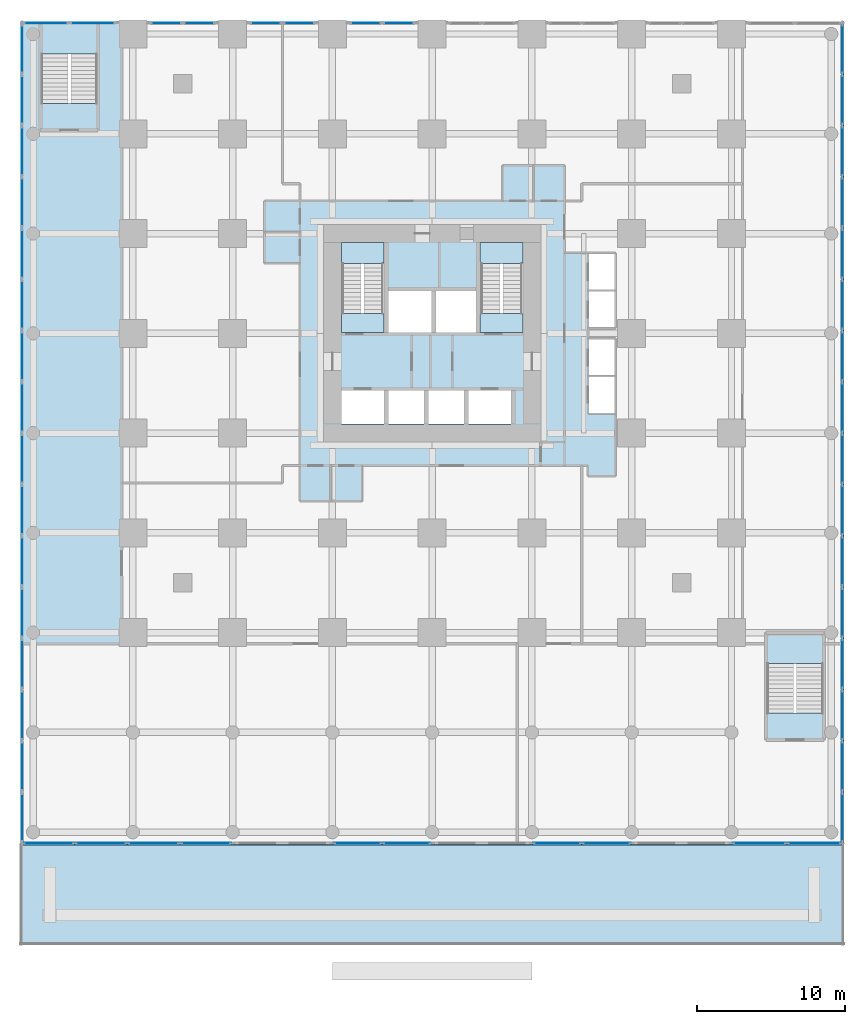
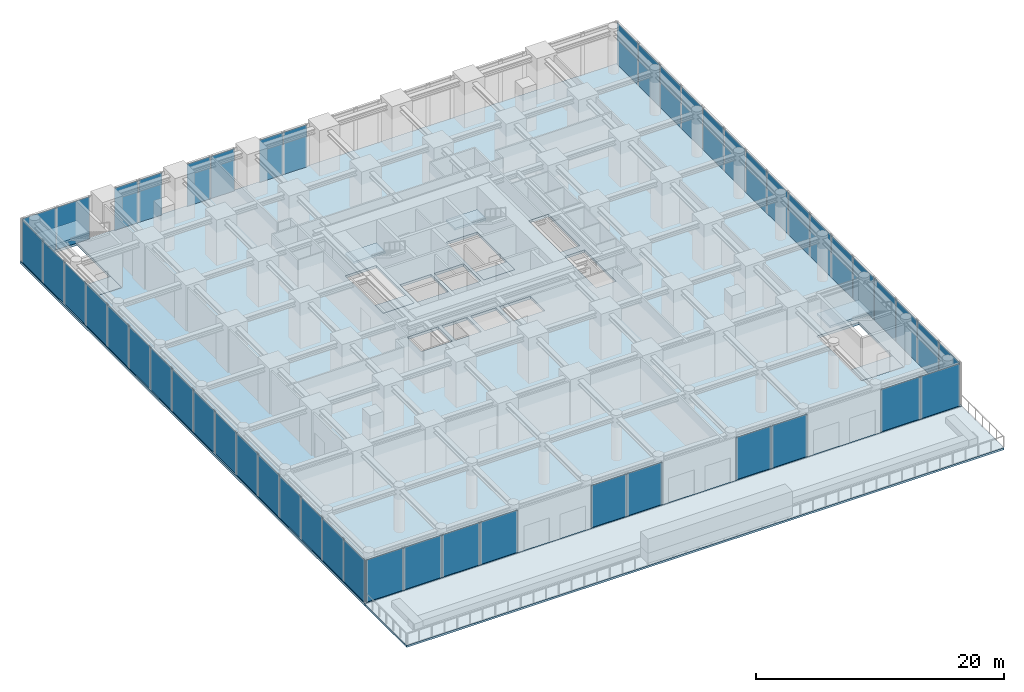
# One storey, part 7 of 11: 50 plates, 10 slabs, 14 elements without a shape of their own.
"""IFC4 building model written with IfcOpenShell, lengths in metres."""

from ifc_helpers import new_model, si_unit, direction, frame, origin, origin_2d, place, context, subcontext, project, spatial, polyline, rectangle, outline, extrude, material, layer, layer_set, type_object, element, aggregate, save


model = new_model("IFC4")

# Units and contexts
model_context = context("Model", 3, precision=1e-05, world=origin(), true_north=direction((0.0, 1.0)))
body_context = subcontext(model_context, "Body", "Model", "MODEL_VIEW")
ifc_project = project(units=[si_unit("LENGTHUNIT", "METRE"), si_unit("AREAUNIT", "SQUARE_METRE"), si_unit("VOLUMEUNIT", "CUBIC_METRE"), si_unit("PLANEANGLEUNIT", "RADIAN"), si_unit("MASSUNIT", "GRAM", prefix="KILO")], contexts=[model_context])

# Site, building, storey
site_placement = place(None, origin())
site = spatial("IfcSite", under=ifc_project, at=site_placement, CompositionType="ELEMENT")
building_placement = place(site_placement, origin())
building = spatial("IfcBuilding", under=site, at=building_placement, Name="Nyansa Garden Tower", CompositionType="ELEMENT")
storey_placement = place(building_placement, frame((0.0, 0.0, 4.5)))
storey = spatial("IfcBuildingStorey", under=building, at=storey_placement, Name="L01", CompositionType="ELEMENT", Elevation=4.5)

# Slab
ifc_material_1 = material(Name="Concrete C40/50", Category="concrete")
ifc_layer_1 = layer(ifc_material_1, 0.25)
ifc_layer_set_1 = layer_set([ifc_layer_1], Name="Floor slab FS250")
slab_type_1 = type_object("IfcSlabType", Name="Floor slab FS250", PredefinedType="FLOOR", material=ifc_layer_set_1)
slab_1_placement = place(storey_placement, frame((0.0, 0.0, -0.25)))
element("IfcSlab", 1, at=slab_1_placement, inside=storey, type_object=slab_type_1, Name="Floor slab L01", PredefinedType="FLOOR", context=body_context, shape_type="SweptSolid", body=[
    extrude(outline(polyline([(48.10009765625, -14.35009765625), (-7.60009765625, -14.35009765625), (-7.60009765625, 41.35009765625), (48.10009765625, 41.35009765625), (48.10009765625, -14.35009765625)]), holes=[polyline([(14.10009765625, 14.10009765625), (17.0, 14.10009765625), (17.0, 16.39990234375), (14.10009765625, 16.39990234375), (14.10009765625, 14.10009765625)]), polyline([(17.300048828125, 14.10009765625), (19.699951171875, 14.10009765625), (19.699951171875, 16.39990234375), (17.300048828125, 16.39990234375), (17.300048828125, 14.10009765625)]), polyline([(20.0, 14.10009765625), (22.39990234375, 14.10009765625), (22.39990234375, 16.39990234375), (20.0, 16.39990234375), (20.0, 14.10009765625)]), polyline([(22.699951171875, 14.10009765625), (25.60009765625, 14.10009765625), (25.60009765625, 16.39990234375), (22.699951171875, 16.39990234375), (22.699951171875, 14.10009765625)]), polyline([(17.300048828125, 20.300048828125), (20.199951171875, 20.300048828125), (20.199951171875, 23.10009765625), (17.300048828125, 23.10009765625), (17.300048828125, 20.300048828125)]), polyline([(20.5, 20.300048828125), (23.199951171875, 20.300048828125), (23.199951171875, 23.10009765625), (20.5, 23.10009765625), (20.5, 20.300048828125)]), polyline([(30.800048828125, 14.800048828125), (32.64990234375, 14.800048828125), (32.64990234375, 19.89990234375), (30.800048828125, 19.89990234375), (30.800048828125, 14.800048828125)]), polyline([(30.800048828125, 20.60009765625), (32.64990234375, 20.60009765625), (32.64990234375, 25.699951171875), (30.800048828125, 25.699951171875), (30.800048828125, 20.60009765625)]), polyline([(14.10009765625, 20.300048828125), (17.0, 20.300048828125), (17.0, 26.39990234375), (14.10009765625, 26.39990234375), (14.10009765625, 20.300048828125)]), polyline([(23.5, 20.300048828125), (26.39990234375, 20.300048828125), (26.39990234375, 26.39990234375), (23.5, 26.39990234375), (23.5, 20.300048828125)]), polyline([(-6.25, 34.0), (-2.35009765625, 34.0), (-2.35009765625, 41.25), (-6.25, 41.25), (-6.25, 34.0)]), polyline([(42.85009765625, -7.25), (46.75, -7.25), (46.75, 0.0), (42.85009765625, 0.0), (42.85009765625, -7.25)])]), origin(), (0.0, 0.0, 1.0), 0.25),
])

# Curtain wall, plates
ifc_material_2 = material(Name="Black anodised aluminium, clear double glazing", Category="aluminium")
curtain_wall_type = type_object("IfcCurtainWallType", Name="Podium curtain wall PCW", PredefinedType="USERDEFINED", material=ifc_material_2)
curtain_wall_1_placement = place(storey_placement, origin())
curtain_wall_1 = element("IfcCurtainWall", 2, at=curtain_wall_1_placement, inside=storey, type_object=curtain_wall_type, Name="Podium curtain wall L01 E", ObjectType="STICK CURTAIN WALL", PredefinedType="USERDEFINED")
ifc_material_3 = material(Name="Clear laminated double glazing", Category="glass")
ifc_layer_2 = layer(ifc_material_3, 0.0380859375)
ifc_layer_set_2 = layer_set([ifc_layer_2], Name="Podium vision panel VP-P")
plate_type = type_object("IfcPlateType", Name="Podium vision panel VP-P", PredefinedType="CURTAIN_PANEL", material=ifc_layer_set_2)
plate_1_placement = place(storey_placement, frame((48.0, -12.49560546875, 0.0), z_axis=(0.0, 0.0, 1.0), x_axis=(0.0, 1.0, 0.0)))
plate_1 = element("IfcPlate", 3, at=plate_1_placement, type_object=plate_type, Name="PCW panel 1", PredefinedType="CURTAIN_PANEL", context=body_context, shape_type="SweptSolid", body=[
    extrude(rectangle(XDim=3.3486328125, YDim=0.0380859375, at=origin_2d()), origin(), (0.0, 0.0, 1.0), 4.169921875),
])
plate_2_placement = place(storey_placement, frame((48.0, -9.046875, 0.0), z_axis=(0.0, 0.0, 1.0), x_axis=(0.0, 1.0, 0.0)))
plate_2 = element("IfcPlate", 4, at=plate_2_placement, type_object=plate_type, Name="PCW panel 2", PredefinedType="CURTAIN_PANEL", context=body_context, shape_type="SweptSolid", body=[
    extrude(rectangle(XDim=3.388671875, YDim=0.0380859375, at=origin_2d()), origin(), (0.0, 0.0, 1.0), 4.169921875),
])
plate_3_placement = place(storey_placement, frame((48.0, -5.578125, 0.0), z_axis=(0.0, 0.0, 1.0), x_axis=(0.0, 1.0, 0.0)))
plate_3 = element("IfcPlate", 5, at=plate_3_placement, type_object=plate_type, Name="PCW panel 3", PredefinedType="CURTAIN_PANEL", context=body_context, shape_type="SweptSolid", body=[
    extrude(rectangle(XDim=3.388671875, YDim=0.0380859375, at=origin_2d()), origin(), (0.0, 0.0, 1.0), 4.169921875),
])
plate_4_placement = place(storey_placement, frame((48.0, -2.109375, 0.0), z_axis=(0.0, 0.0, 1.0), x_axis=(0.0, 1.0, 0.0)))
plate_4 = element("IfcPlate", 6, at=plate_4_placement, type_object=plate_type, Name="PCW panel 4", PredefinedType="CURTAIN_PANEL", context=body_context, shape_type="SweptSolid", body=[
    extrude(rectangle(XDim=3.388671875, YDim=0.0380859375, at=origin_2d()), origin(), (0.0, 0.0, 1.0), 4.169921875),
])
plate_5_placement = place(storey_placement, frame((48.0, 1.359375, 0.0), z_axis=(0.0, 0.0, 1.0), x_axis=(0.0, 1.0, 0.0)))
plate_5 = element("IfcPlate", 7, at=plate_5_placement, type_object=plate_type, Name="PCW panel 5", PredefinedType="CURTAIN_PANEL", context=body_context, shape_type="SweptSolid", body=[
    extrude(rectangle(XDim=3.388671875, YDim=0.0380859375, at=origin_2d()), origin(), (0.0, 0.0, 1.0), 4.169921875),
])
plate_6_placement = place(storey_placement, frame((48.0, 4.828125, 0.0), z_axis=(0.0, 0.0, 1.0), x_axis=(0.0, 1.0, 0.0)))
plate_6 = element("IfcPlate", 8, at=plate_6_placement, type_object=plate_type, Name="PCW panel 6", PredefinedType="CURTAIN_PANEL", context=body_context, shape_type="SweptSolid", body=[
    extrude(rectangle(XDim=3.388671875, YDim=0.0380859375, at=origin_2d()), origin(), (0.0, 0.0, 1.0), 4.169921875),
])
plate_7_placement = place(storey_placement, frame((48.0, 8.296875, 0.0), z_axis=(0.0, 0.0, 1.0), x_axis=(0.0, 1.0, 0.0)))
plate_7 = element("IfcPlate", 9, at=plate_7_placement, type_object=plate_type, Name="PCW panel 7", PredefinedType="CURTAIN_PANEL", context=body_context, shape_type="SweptSolid", body=[
    extrude(rectangle(XDim=3.388671875, YDim=0.0380859375, at=origin_2d()), origin(), (0.0, 0.0, 1.0), 4.169921875),
])
plate_8_placement = place(storey_placement, frame((48.0, 11.765625, 0.0), z_axis=(0.0, 0.0, 1.0), x_axis=(0.0, 1.0, 0.0)))
plate_8 = element("IfcPlate", 10, at=plate_8_placement, type_object=plate_type, Name="PCW panel 8", PredefinedType="CURTAIN_PANEL", context=body_context, shape_type="SweptSolid", body=[
    extrude(rectangle(XDim=3.388671875, YDim=0.0380859375, at=origin_2d()), origin(), (0.0, 0.0, 1.0), 4.169921875),
])
plate_9_placement = place(storey_placement, frame((48.0, 15.234375, 0.0), z_axis=(0.0, 0.0, 1.0), x_axis=(0.0, 1.0, 0.0)))
plate_9 = element("IfcPlate", 11, at=plate_9_placement, type_object=plate_type, Name="PCW panel 9", PredefinedType="CURTAIN_PANEL", context=body_context, shape_type="SweptSolid", body=[
    extrude(rectangle(XDim=3.388671875, YDim=0.0380859375, at=origin_2d()), origin(), (0.0, 0.0, 1.0), 4.169921875),
])
plate_10_placement = place(storey_placement, frame((48.0, 18.703125, 0.0), z_axis=(0.0, 0.0, 1.0), x_axis=(0.0, 1.0, 0.0)))
plate_10 = element("IfcPlate", 12, at=plate_10_placement, type_object=plate_type, Name="PCW panel 10", PredefinedType="CURTAIN_PANEL", context=body_context, shape_type="SweptSolid", body=[
    extrude(rectangle(XDim=3.388671875, YDim=0.0380859375, at=origin_2d()), origin(), (0.0, 0.0, 1.0), 4.169921875),
])
plate_11_placement = place(storey_placement, frame((48.0, 22.171875, 0.0), z_axis=(0.0, 0.0, 1.0), x_axis=(0.0, 1.0, 0.0)))
plate_11 = element("IfcPlate", 13, at=plate_11_placement, type_object=plate_type, Name="PCW panel 11", PredefinedType="CURTAIN_PANEL", context=body_context, shape_type="SweptSolid", body=[
    extrude(rectangle(XDim=3.388671875, YDim=0.0380859375, at=origin_2d()), origin(), (0.0, 0.0, 1.0), 4.169921875),
])
plate_12_placement = place(storey_placement, frame((48.0, 25.640625, 0.0), z_axis=(0.0, 0.0, 1.0), x_axis=(0.0, 1.0, 0.0)))
plate_12 = element("IfcPlate", 14, at=plate_12_placement, type_object=plate_type, Name="PCW panel 12", PredefinedType="CURTAIN_PANEL", context=body_context, shape_type="SweptSolid", body=[
    extrude(rectangle(XDim=3.388671875, YDim=0.0380859375, at=origin_2d()), origin(), (0.0, 0.0, 1.0), 4.169921875),
])
plate_13_placement = place(storey_placement, frame((48.0, 29.109375, 0.0), z_axis=(0.0, 0.0, 1.0), x_axis=(0.0, 1.0, 0.0)))
plate_13 = element("IfcPlate", 15, at=plate_13_placement, type_object=plate_type, Name="PCW panel 13", PredefinedType="CURTAIN_PANEL", context=body_context, shape_type="SweptSolid", body=[
    extrude(rectangle(XDim=3.388671875, YDim=0.0380859375, at=origin_2d()), origin(), (0.0, 0.0, 1.0), 4.169921875),
])
plate_14_placement = place(storey_placement, frame((48.0, 32.578125, 0.0), z_axis=(0.0, 0.0, 1.0), x_axis=(0.0, 1.0, 0.0)))
plate_14 = element("IfcPlate", 16, at=plate_14_placement, type_object=plate_type, Name="PCW panel 14", PredefinedType="CURTAIN_PANEL", context=body_context, shape_type="SweptSolid", body=[
    extrude(rectangle(XDim=3.388671875, YDim=0.0380859375, at=origin_2d()), origin(), (0.0, 0.0, 1.0), 4.169921875),
])
plate_15_placement = place(storey_placement, frame((48.0, 36.046875, 0.0), z_axis=(0.0, 0.0, 1.0), x_axis=(0.0, 1.0, 0.0)))
plate_15 = element("IfcPlate", 17, at=plate_15_placement, type_object=plate_type, Name="PCW panel 15", PredefinedType="CURTAIN_PANEL", context=body_context, shape_type="SweptSolid", body=[
    extrude(rectangle(XDim=3.388671875, YDim=0.0380859375, at=origin_2d()), origin(), (0.0, 0.0, 1.0), 4.169921875),
])
plate_16_placement = place(storey_placement, frame((48.0, 39.49560546875, 0.0), z_axis=(0.0, 0.0, 1.0), x_axis=(0.0, 1.0, 0.0)))
plate_16 = element("IfcPlate", 18, at=plate_16_placement, type_object=plate_type, Name="PCW panel 16", PredefinedType="CURTAIN_PANEL", context=body_context, shape_type="SweptSolid", body=[
    extrude(rectangle(XDim=3.3486328125, YDim=0.0380859375, at=origin_2d()), origin(), (0.0, 0.0, 1.0), 4.169921875),
])
aggregate(curtain_wall_1, [plate_1, plate_2, plate_3, plate_4, plate_5, plate_6, plate_7, plate_8, plate_9, plate_10, plate_11, plate_12, plate_13, plate_14, plate_15, plate_16])

curtain_wall_2_placement = place(storey_placement, origin())
curtain_wall_2 = element("IfcCurtainWall", 19, at=curtain_wall_2_placement, inside=storey, type_object=curtain_wall_type, Name="Podium curtain wall L01 N", ObjectType="STICK CURTAIN WALL", PredefinedType="USERDEFINED")
plate_17_placement = place(storey_placement, frame((18.0, 41.25, 0.0), z_axis=(0.0, 0.0, 1.0), x_axis=(-1.0, 0.0, 0.0)))
plate_17 = element("IfcPlate", 20, at=plate_17_placement, type_object=plate_type, Name="PCW panel 1", PredefinedType="CURTAIN_PANEL", context=body_context, shape_type="SweptSolid", body=[
    extrude(rectangle(XDim=2.169921875, YDim=0.0380859375, at=origin_2d()), origin(), (0.0, 0.0, 1.0), 4.169921875),
])
plate_18_placement = place(storey_placement, frame((15.75, 41.25, 0.0), z_axis=(0.0, 0.0, 1.0), x_axis=(-1.0, 0.0, 0.0)))
plate_18 = element("IfcPlate", 21, at=plate_18_placement, type_object=plate_type, Name="PCW panel 2", PredefinedType="CURTAIN_PANEL", context=body_context, shape_type="SweptSolid", body=[
    extrude(rectangle(XDim=2.169921875, YDim=0.0380859375, at=origin_2d()), origin(), (0.0, 0.0, 1.0), 4.169921875),
])
aggregate(curtain_wall_2, [plate_17, plate_18])

curtain_wall_3_placement = place(storey_placement, origin())
curtain_wall_3 = element("IfcCurtainWall", 22, at=curtain_wall_3_placement, inside=storey, type_object=curtain_wall_type, Name="Podium curtain wall L01 N", ObjectType="STICK CURTAIN WALL", PredefinedType="USERDEFINED")
plate_19_placement = place(storey_placement, frame((11.25, 41.25, 0.0), z_axis=(0.0, 0.0, 1.0), x_axis=(-1.0, 0.0, 0.0)))
plate_19 = element("IfcPlate", 23, at=plate_19_placement, type_object=plate_type, Name="PCW panel 1", PredefinedType="CURTAIN_PANEL", context=body_context, shape_type="SweptSolid", body=[
    extrude(rectangle(XDim=2.169921875, YDim=0.0380859375, at=origin_2d()), origin(), (0.0, 0.0, 1.0), 4.169921875),
])
plate_20_placement = place(storey_placement, frame((9.0, 41.25, 0.0), z_axis=(0.0, 0.0, 1.0), x_axis=(-1.0, 0.0, 0.0)))
plate_20 = element("IfcPlate", 24, at=plate_20_placement, type_object=plate_type, Name="PCW panel 2", PredefinedType="CURTAIN_PANEL", context=body_context, shape_type="SweptSolid", body=[
    extrude(rectangle(XDim=2.169921875, YDim=0.0380859375, at=origin_2d()), origin(), (0.0, 0.0, 1.0), 4.169921875),
])
aggregate(curtain_wall_3, [plate_19, plate_20])

curtain_wall_4_placement = place(storey_placement, origin())
curtain_wall_4 = element("IfcCurtainWall", 25, at=curtain_wall_4_placement, inside=storey, type_object=curtain_wall_type, Name="Podium curtain wall L01 N", ObjectType="STICK CURTAIN WALL", PredefinedType="USERDEFINED")
plate_21_placement = place(storey_placement, frame((4.5, 41.25, 0.0), z_axis=(0.0, 0.0, 1.0), x_axis=(-1.0, 0.0, 0.0)))
plate_21 = element("IfcPlate", 26, at=plate_21_placement, type_object=plate_type, Name="PCW panel 1", PredefinedType="CURTAIN_PANEL", context=body_context, shape_type="SweptSolid", body=[
    extrude(rectangle(XDim=2.169921875, YDim=0.0380859375, at=origin_2d()), origin(), (0.0, 0.0, 1.0), 4.169921875),
])
plate_22_placement = place(storey_placement, frame((2.25, 41.25, 0.0), z_axis=(0.0, 0.0, 1.0), x_axis=(-1.0, 0.0, 0.0)))
plate_22 = element("IfcPlate", 27, at=plate_22_placement, type_object=plate_type, Name="PCW panel 2", PredefinedType="CURTAIN_PANEL", context=body_context, shape_type="SweptSolid", body=[
    extrude(rectangle(XDim=2.169921875, YDim=0.0380859375, at=origin_2d()), origin(), (0.0, 0.0, 1.0), 4.169921875),
])
aggregate(curtain_wall_4, [plate_21, plate_22])

curtain_wall_5_placement = place(storey_placement, origin())
curtain_wall_5 = element("IfcCurtainWall", 28, at=curtain_wall_5_placement, inside=storey, type_object=curtain_wall_type, Name="Podium curtain wall L01 N", ObjectType="STICK CURTAIN WALL", PredefinedType="USERDEFINED")
plate_23_placement = place(storey_placement, frame((-2.708740234375, 41.25, 0.0), z_axis=(0.0, 0.0, 1.0), x_axis=(-1.0, 0.0, 0.0)))
plate_23 = element("IfcPlate", 29, at=plate_23_placement, type_object=plate_type, Name="PCW panel 1", PredefinedType="CURTAIN_PANEL", context=body_context, shape_type="SweptSolid", body=[
    extrude(rectangle(XDim=3.08740234375, YDim=0.0380859375, at=origin_2d()), origin(), (0.0, 0.0, 1.0), 4.169921875),
])
plate_24_placement = place(storey_placement, frame((-5.876220703125, 41.25, 0.0), z_axis=(0.0, 0.0, 1.0), x_axis=(-1.0, 0.0, 0.0)))
plate_24 = element("IfcPlate", 30, at=plate_24_placement, type_object=plate_type, Name="PCW panel 2", PredefinedType="CURTAIN_PANEL", context=body_context, shape_type="SweptSolid", body=[
    extrude(rectangle(XDim=3.08740234375, YDim=0.0380859375, at=origin_2d()), origin(), (0.0, 0.0, 1.0), 4.169921875),
])
aggregate(curtain_wall_5, [plate_23, plate_24])

curtain_wall_6_placement = place(storey_placement, origin())
curtain_wall_6 = element("IfcCurtainWall", 31, at=curtain_wall_6_placement, inside=storey, type_object=curtain_wall_type, Name="Podium curtain wall L01 W", ObjectType="STICK CURTAIN WALL", PredefinedType="USERDEFINED")
plate_25_placement = place(storey_placement, frame((-7.5, 39.49560546875, 0.0), z_axis=(0.0, 0.0, 1.0), x_axis=(0.0, -1.0, 0.0)))
plate_25 = element("IfcPlate", 32, at=plate_25_placement, type_object=plate_type, Name="PCW panel 1", PredefinedType="CURTAIN_PANEL", context=body_context, shape_type="SweptSolid", body=[
    extrude(rectangle(XDim=3.3486328125, YDim=0.0380859375, at=origin_2d()), origin(), (0.0, 0.0, 1.0), 4.169921875),
])
plate_26_placement = place(storey_placement, frame((-7.5, 36.046875, 0.0), z_axis=(0.0, 0.0, 1.0), x_axis=(0.0, -1.0, 0.0)))
plate_26 = element("IfcPlate", 33, at=plate_26_placement, type_object=plate_type, Name="PCW panel 2", PredefinedType="CURTAIN_PANEL", context=body_context, shape_type="SweptSolid", body=[
    extrude(rectangle(XDim=3.388671875, YDim=0.0380859375, at=origin_2d()), origin(), (0.0, 0.0, 1.0), 4.169921875),
])
plate_27_placement = place(storey_placement, frame((-7.5, 32.578125, 0.0), z_axis=(0.0, 0.0, 1.0), x_axis=(0.0, -1.0, 0.0)))
plate_27 = element("IfcPlate", 34, at=plate_27_placement, type_object=plate_type, Name="PCW panel 3", PredefinedType="CURTAIN_PANEL", context=body_context, shape_type="SweptSolid", body=[
    extrude(rectangle(XDim=3.388671875, YDim=0.0380859375, at=origin_2d()), origin(), (0.0, 0.0, 1.0), 4.169921875),
])
plate_28_placement = place(storey_placement, frame((-7.5, 29.109375, 0.0), z_axis=(0.0, 0.0, 1.0), x_axis=(0.0, -1.0, 0.0)))
plate_28 = element("IfcPlate", 35, at=plate_28_placement, type_object=plate_type, Name="PCW panel 4", PredefinedType="CURTAIN_PANEL", context=body_context, shape_type="SweptSolid", body=[
    extrude(rectangle(XDim=3.388671875, YDim=0.0380859375, at=origin_2d()), origin(), (0.0, 0.0, 1.0), 4.169921875),
])
plate_29_placement = place(storey_placement, frame((-7.5, 25.640625, 0.0), z_axis=(0.0, 0.0, 1.0), x_axis=(0.0, -1.0, 0.0)))
plate_29 = element("IfcPlate", 36, at=plate_29_placement, type_object=plate_type, Name="PCW panel 5", PredefinedType="CURTAIN_PANEL", context=body_context, shape_type="SweptSolid", body=[
    extrude(rectangle(XDim=3.388671875, YDim=0.0380859375, at=origin_2d()), origin(), (0.0, 0.0, 1.0), 4.169921875),
])
plate_30_placement = place(storey_placement, frame((-7.5, 22.171875, 0.0), z_axis=(0.0, 0.0, 1.0), x_axis=(0.0, -1.0, 0.0)))
plate_30 = element("IfcPlate", 37, at=plate_30_placement, type_object=plate_type, Name="PCW panel 6", PredefinedType="CURTAIN_PANEL", context=body_context, shape_type="SweptSolid", body=[
    extrude(rectangle(XDim=3.388671875, YDim=0.0380859375, at=origin_2d()), origin(), (0.0, 0.0, 1.0), 4.169921875),
])
plate_31_placement = place(storey_placement, frame((-7.5, 18.703125, 0.0), z_axis=(0.0, 0.0, 1.0), x_axis=(0.0, -1.0, 0.0)))
plate_31 = element("IfcPlate", 38, at=plate_31_placement, type_object=plate_type, Name="PCW panel 7", PredefinedType="CURTAIN_PANEL", context=body_context, shape_type="SweptSolid", body=[
    extrude(rectangle(XDim=3.388671875, YDim=0.0380859375, at=origin_2d()), origin(), (0.0, 0.0, 1.0), 4.169921875),
])
plate_32_placement = place(storey_placement, frame((-7.5, 15.234375, 0.0), z_axis=(0.0, 0.0, 1.0), x_axis=(0.0, -1.0, 0.0)))
plate_32 = element("IfcPlate", 39, at=plate_32_placement, type_object=plate_type, Name="PCW panel 8", PredefinedType="CURTAIN_PANEL", context=body_context, shape_type="SweptSolid", body=[
    extrude(rectangle(XDim=3.388671875, YDim=0.0380859375, at=origin_2d()), origin(), (0.0, 0.0, 1.0), 4.169921875),
])
plate_33_placement = place(storey_placement, frame((-7.5, 11.765625, 0.0), z_axis=(0.0, 0.0, 1.0), x_axis=(0.0, -1.0, 0.0)))
plate_33 = element("IfcPlate", 40, at=plate_33_placement, type_object=plate_type, Name="PCW panel 9", PredefinedType="CURTAIN_PANEL", context=body_context, shape_type="SweptSolid", body=[
    extrude(rectangle(XDim=3.388671875, YDim=0.0380859375, at=origin_2d()), origin(), (0.0, 0.0, 1.0), 4.169921875),
])
plate_34_placement = place(storey_placement, frame((-7.5, 8.296875, 0.0), z_axis=(0.0, 0.0, 1.0), x_axis=(0.0, -1.0, 0.0)))
plate_34 = element("IfcPlate", 41, at=plate_34_placement, type_object=plate_type, Name="PCW panel 10", PredefinedType="CURTAIN_PANEL", context=body_context, shape_type="SweptSolid", body=[
    extrude(rectangle(XDim=3.388671875, YDim=0.0380859375, at=origin_2d()), origin(), (0.0, 0.0, 1.0), 4.169921875),
])
plate_35_placement = place(storey_placement, frame((-7.5, 4.828125, 0.0), z_axis=(0.0, 0.0, 1.0), x_axis=(0.0, -1.0, 0.0)))
plate_35 = element("IfcPlate", 42, at=plate_35_placement, type_object=plate_type, Name="PCW panel 11", PredefinedType="CURTAIN_PANEL", context=body_context, shape_type="SweptSolid", body=[
    extrude(rectangle(XDim=3.388671875, YDim=0.0380859375, at=origin_2d()), origin(), (0.0, 0.0, 1.0), 4.169921875),
])
plate_36_placement = place(storey_placement, frame((-7.5, 1.359375, 0.0), z_axis=(0.0, 0.0, 1.0), x_axis=(0.0, -1.0, 0.0)))
plate_36 = element("IfcPlate", 43, at=plate_36_placement, type_object=plate_type, Name="PCW panel 12", PredefinedType="CURTAIN_PANEL", context=body_context, shape_type="SweptSolid", body=[
    extrude(rectangle(XDim=3.388671875, YDim=0.0380859375, at=origin_2d()), origin(), (0.0, 0.0, 1.0), 4.169921875),
])
plate_37_placement = place(storey_placement, frame((-7.5, -2.109375, 0.0), z_axis=(0.0, 0.0, 1.0), x_axis=(0.0, -1.0, 0.0)))
plate_37 = element("IfcPlate", 44, at=plate_37_placement, type_object=plate_type, Name="PCW panel 13", PredefinedType="CURTAIN_PANEL", context=body_context, shape_type="SweptSolid", body=[
    extrude(rectangle(XDim=3.388671875, YDim=0.0380859375, at=origin_2d()), origin(), (0.0, 0.0, 1.0), 4.169921875),
])
plate_38_placement = place(storey_placement, frame((-7.5, -5.578125, 0.0), z_axis=(0.0, 0.0, 1.0), x_axis=(0.0, -1.0, 0.0)))
plate_38 = element("IfcPlate", 45, at=plate_38_placement, type_object=plate_type, Name="PCW panel 14", PredefinedType="CURTAIN_PANEL", context=body_context, shape_type="SweptSolid", body=[
    extrude(rectangle(XDim=3.388671875, YDim=0.0380859375, at=origin_2d()), origin(), (0.0, 0.0, 1.0), 4.169921875),
])
plate_39_placement = place(storey_placement, frame((-7.5, -9.046875, 0.0), z_axis=(0.0, 0.0, 1.0), x_axis=(0.0, -1.0, 0.0)))
plate_39 = element("IfcPlate", 46, at=plate_39_placement, type_object=plate_type, Name="PCW panel 15", PredefinedType="CURTAIN_PANEL", context=body_context, shape_type="SweptSolid", body=[
    extrude(rectangle(XDim=3.388671875, YDim=0.0380859375, at=origin_2d()), origin(), (0.0, 0.0, 1.0), 4.169921875),
])
plate_40_placement = place(storey_placement, frame((-7.5, -12.49560546875, 0.0), z_axis=(0.0, 0.0, 1.0), x_axis=(0.0, -1.0, 0.0)))
plate_40 = element("IfcPlate", 47, at=plate_40_placement, type_object=plate_type, Name="PCW panel 16", PredefinedType="CURTAIN_PANEL", context=body_context, shape_type="SweptSolid", body=[
    extrude(rectangle(XDim=3.3486328125, YDim=0.0380859375, at=origin_2d()), origin(), (0.0, 0.0, 1.0), 4.169921875),
])
aggregate(curtain_wall_6, [plate_25, plate_26, plate_27, plate_28, plate_29, plate_30, plate_31, plate_32, plate_33, plate_34, plate_35, plate_36, plate_37, plate_38, plate_39, plate_40])

curtain_wall_7_placement = place(storey_placement, origin())
curtain_wall_7 = element("IfcCurtainWall", 48, at=curtain_wall_7_placement, inside=storey, type_object=curtain_wall_type, Name="Podium curtain wall L01 S", ObjectType="STICK CURTAIN WALL", PredefinedType="USERDEFINED")
plate_41_placement = place(storey_placement, frame((-5.69873046875, -14.25, 0.0), z_axis=(0.0, 0.0, 1.0), x_axis=(1.0, 0.0, 0.0)))
plate_41 = element("IfcPlate", 49, at=plate_41_placement, type_object=plate_type, Name="PCW panel 1", PredefinedType="CURTAIN_PANEL", context=body_context, shape_type="SweptSolid", body=[
    extrude(rectangle(XDim=3.4423828125, YDim=0.0380859375, at=origin_2d()), origin(), (0.0, 0.0, 1.0), 4.169921875),
])
plate_42_placement = place(storey_placement, frame((-2.15625, -14.25, 0.0), z_axis=(0.0, 0.0, 1.0), x_axis=(1.0, 0.0, 0.0)))
plate_42 = element("IfcPlate", 50, at=plate_42_placement, type_object=plate_type, Name="PCW panel 2", PredefinedType="CURTAIN_PANEL", context=body_context, shape_type="SweptSolid", body=[
    extrude(rectangle(XDim=3.482421875, YDim=0.0380859375, at=origin_2d()), origin(), (0.0, 0.0, 1.0), 4.169921875),
])
plate_43_placement = place(storey_placement, frame((1.40625, -14.25, 0.0), z_axis=(0.0, 0.0, 1.0), x_axis=(1.0, 0.0, 0.0)))
plate_43 = element("IfcPlate", 51, at=plate_43_placement, type_object=plate_type, Name="PCW panel 3", PredefinedType="CURTAIN_PANEL", context=body_context, shape_type="SweptSolid", body=[
    extrude(rectangle(XDim=3.482421875, YDim=0.0380859375, at=origin_2d()), origin(), (0.0, 0.0, 1.0), 4.169921875),
])
plate_44_placement = place(storey_placement, frame((4.94873046875, -14.25, 0.0), z_axis=(0.0, 0.0, 1.0), x_axis=(1.0, 0.0, 0.0)))
plate_44 = element("IfcPlate", 52, at=plate_44_placement, type_object=plate_type, Name="PCW panel 4", PredefinedType="CURTAIN_PANEL", context=body_context, shape_type="SweptSolid", body=[
    extrude(rectangle(XDim=3.4423828125, YDim=0.0380859375, at=origin_2d()), origin(), (0.0, 0.0, 1.0), 4.169921875),
])
aggregate(curtain_wall_7, [plate_41, plate_42, plate_43, plate_44])

curtain_wall_8_placement = place(storey_placement, origin())
curtain_wall_8 = element("IfcCurtainWall", 53, at=curtain_wall_8_placement, inside=storey, type_object=curtain_wall_type, Name="Podium curtain wall L01 S", ObjectType="STICK CURTAIN WALL", PredefinedType="USERDEFINED")
plate_45_placement = place(storey_placement, frame((15.20751953125, -14.25, 0.0), z_axis=(0.0, 0.0, 1.0), x_axis=(1.0, 0.0, 0.0)))
plate_45 = element("IfcPlate", 54, at=plate_45_placement, type_object=plate_type, Name="PCW panel 1", PredefinedType="CURTAIN_PANEL", context=body_context, shape_type="SweptSolid", body=[
    extrude(rectangle(XDim=3.2548828125, YDim=0.0380859375, at=origin_2d()), origin(), (0.0, 0.0, 1.0), 4.169921875),
])
plate_46_placement = place(storey_placement, frame((18.54248046875, -14.25, 0.0), z_axis=(0.0, 0.0, 1.0), x_axis=(1.0, 0.0, 0.0)))
plate_46 = element("IfcPlate", 55, at=plate_46_placement, type_object=plate_type, Name="PCW panel 2", PredefinedType="CURTAIN_PANEL", context=body_context, shape_type="SweptSolid", body=[
    extrude(rectangle(XDim=3.2548828125, YDim=0.0380859375, at=origin_2d()), origin(), (0.0, 0.0, 1.0), 4.169921875),
])
aggregate(curtain_wall_8, [plate_45, plate_46])

curtain_wall_9_placement = place(storey_placement, origin())
curtain_wall_9 = element("IfcCurtainWall", 56, at=curtain_wall_9_placement, inside=storey, type_object=curtain_wall_type, Name="Podium curtain wall L01 S", ObjectType="STICK CURTAIN WALL", PredefinedType="USERDEFINED")
plate_47_placement = place(storey_placement, frame((28.70751953125, -14.25, 0.0), z_axis=(0.0, 0.0, 1.0), x_axis=(1.0, 0.0, 0.0)))
plate_47 = element("IfcPlate", 57, at=plate_47_placement, type_object=plate_type, Name="PCW panel 1", PredefinedType="CURTAIN_PANEL", context=body_context, shape_type="SweptSolid", body=[
    extrude(rectangle(XDim=3.2548828125, YDim=0.0380859375, at=origin_2d()), origin(), (0.0, 0.0, 1.0), 4.169921875),
])
plate_48_placement = place(storey_placement, frame((32.04248046875, -14.25, 0.0), z_axis=(0.0, 0.0, 1.0), x_axis=(1.0, 0.0, 0.0)))
plate_48 = element("IfcPlate", 58, at=plate_48_placement, type_object=plate_type, Name="PCW panel 2", PredefinedType="CURTAIN_PANEL", context=body_context, shape_type="SweptSolid", body=[
    extrude(rectangle(XDim=3.2548828125, YDim=0.0380859375, at=origin_2d()), origin(), (0.0, 0.0, 1.0), 4.169921875),
])
aggregate(curtain_wall_9, [plate_47, plate_48])

curtain_wall_10_placement = place(storey_placement, origin())
curtain_wall_10 = element("IfcCurtainWall", 59, at=curtain_wall_10_placement, inside=storey, type_object=curtain_wall_type, Name="Podium curtain wall L01 S", ObjectType="STICK CURTAIN WALL", PredefinedType="USERDEFINED")
plate_49_placement = place(storey_placement, frame((42.39501953125, -14.25, 0.0), z_axis=(0.0, 0.0, 1.0), x_axis=(1.0, 0.0, 0.0)))
plate_49 = element("IfcPlate", 60, at=plate_49_placement, type_object=plate_type, Name="PCW panel 1", PredefinedType="CURTAIN_PANEL", context=body_context, shape_type="SweptSolid", body=[
    extrude(rectangle(XDim=3.6298828125, YDim=0.0380859375, at=origin_2d()), origin(), (0.0, 0.0, 1.0), 4.169921875),
])
plate_50_placement = place(storey_placement, frame((46.10498046875, -14.25, 0.0), z_axis=(0.0, 0.0, 1.0), x_axis=(1.0, 0.0, 0.0)))
plate_50 = element("IfcPlate", 61, at=plate_50_placement, type_object=plate_type, Name="PCW panel 2", PredefinedType="CURTAIN_PANEL", context=body_context, shape_type="SweptSolid", body=[
    extrude(rectangle(XDim=3.6298828125, YDim=0.0380859375, at=origin_2d()), origin(), (0.0, 0.0, 1.0), 4.169921875),
])
aggregate(curtain_wall_10, [plate_49, plate_50])

# Stair, slabs
ifc_material_4 = material(Name="Precast concrete C40/50", Category="concrete")
stair_type_1 = type_object("IfcStairType", Name="Stair S1 173x280", PredefinedType="HALF_TURN_STAIR", material=ifc_material_4)
stair_1_placement = place(storey_placement, origin())
stair_1 = element("IfcStair", 62, at=stair_1_placement, inside=storey, type_object=stair_type_1, Name="Stair S1 L01", PredefinedType="HALF_TURN_STAIR")
ifc_material_5 = material(Name="Concrete C40/50", Category="concrete")
ifc_layer_3 = layer(ifc_material_5, 0.199951171875)
ifc_layer_set_3 = layer_set([ifc_layer_3], Name="Stair landing SL200")
slab_type_2 = type_object("IfcSlabType", Name="Stair landing SL200", PredefinedType="LANDING", material=ifc_layer_set_3)
slab_2_placement = place(storey_placement, frame((0.0, 0.0, -0.199951171875)))
slab_2 = element("IfcSlab", 63, at=slab_2_placement, type_object=slab_type_2, Name="S1 landing 1", PredefinedType="LANDING", context=body_context, shape_type="SweptSolid", body=[
    extrude(outline(polyline([(14.10009765625, 20.300048828125), (17.0, 20.300048828125), (17.0, 21.60009765625), (14.10009765625, 21.60009765625), (14.10009765625, 20.300048828125)])), origin(), (0.0, 0.0, 1.0), 0.199951171875),
])
slab_3_placement = place(storey_placement, frame((0.0, 0.0, 2.050048828125)))
slab_3 = element("IfcSlab", 64, at=slab_3_placement, type_object=slab_type_2, Name="S1 landing 2", PredefinedType="LANDING", context=body_context, shape_type="SweptSolid", body=[
    extrude(outline(polyline([(14.10009765625, 24.9599609375), (17.0, 24.9599609375), (17.0, 26.39990234375), (14.10009765625, 26.39990234375), (14.10009765625, 24.9599609375)])), origin(), (0.0, 0.0, 1.0), 0.199951171875),
])
aggregate(stair_1, [slab_2, slab_3])

ifc_material_6 = material(Name="Precast concrete C40/50", Category="concrete")
stair_type_2 = type_object("IfcStairType", Name="Stair S2 173x280", PredefinedType="HALF_TURN_STAIR", material=ifc_material_6)
stair_2_placement = place(storey_placement, origin())
stair_2 = element("IfcStair", 65, at=stair_2_placement, inside=storey, type_object=stair_type_2, Name="Stair S2 L01", PredefinedType="HALF_TURN_STAIR")
slab_4_placement = place(storey_placement, frame((0.0, 0.0, -0.199951171875)))
slab_4 = element("IfcSlab", 66, at=slab_4_placement, type_object=slab_type_2, Name="S2 landing 1", PredefinedType="LANDING", context=body_context, shape_type="SweptSolid", body=[
    extrude(outline(polyline([(23.5, 20.300048828125), (26.39990234375, 20.300048828125), (26.39990234375, 21.60009765625), (23.5, 21.60009765625), (23.5, 20.300048828125)])), origin(), (0.0, 0.0, 1.0), 0.199951171875),
])
slab_5_placement = place(storey_placement, frame((0.0, 0.0, 2.050048828125)))
slab_5 = element("IfcSlab", 67, at=slab_5_placement, type_object=slab_type_2, Name="S2 landing 2", PredefinedType="LANDING", context=body_context, shape_type="SweptSolid", body=[
    extrude(outline(polyline([(23.5, 24.9599609375), (26.39990234375, 24.9599609375), (26.39990234375, 26.39990234375), (23.5, 26.39990234375), (23.5, 24.9599609375)])), origin(), (0.0, 0.0, 1.0), 0.199951171875),
])
aggregate(stair_2, [slab_4, slab_5])

ifc_material_7 = material(Name="Precast concrete C40/50", Category="concrete")
stair_type_3 = type_object("IfcStairType", Name="Stair S3 173x280", PredefinedType="HALF_TURN_STAIR", material=ifc_material_7)
stair_3_placement = place(storey_placement, origin())
stair_3 = element("IfcStair", 68, at=stair_3_placement, inside=storey, type_object=stair_type_3, Name="Stair S3 L01", PredefinedType="HALF_TURN_STAIR")
slab_6_placement = place(storey_placement, frame((0.0, 0.0, -0.199951171875)))
slab_6 = element("IfcSlab", 69, at=slab_6_placement, type_object=slab_type_2, Name="S3 landing 1", PredefinedType="LANDING", context=body_context, shape_type="SweptSolid", body=[
    extrude(outline(polyline([(-6.25, 34.0), (-2.35009765625, 34.0), (-2.35009765625, 35.800048828125), (-6.25, 35.800048828125), (-6.25, 34.0)])), origin(), (0.0, 0.0, 1.0), 0.199951171875),
])
slab_7_placement = place(storey_placement, frame((0.0, 0.0, 2.050048828125)))
slab_7 = element("IfcSlab", 70, at=slab_7_placement, type_object=slab_type_2, Name="S3 landing 2", PredefinedType="LANDING", context=body_context, shape_type="SweptSolid", body=[
    extrude(outline(polyline([(-6.25, 39.159912109375), (-2.35009765625, 39.159912109375), (-2.35009765625, 41.25), (-6.25, 41.25), (-6.25, 39.159912109375)])), origin(), (0.0, 0.0, 1.0), 0.199951171875),
])
aggregate(stair_3, [slab_6, slab_7])

ifc_material_8 = material(Name="Precast concrete C40/50", Category="concrete")
stair_type_4 = type_object("IfcStairType", Name="Stair S4 173x280", PredefinedType="HALF_TURN_STAIR", material=ifc_material_8)
stair_4_placement = place(storey_placement, origin())
stair_4 = element("IfcStair", 71, at=stair_4_placement, inside=storey, type_object=stair_type_4, Name="Stair S4 L01", PredefinedType="HALF_TURN_STAIR")
slab_8_placement = place(storey_placement, frame((0.0, 0.0, -0.199951171875)))
slab_8 = element("IfcSlab", 72, at=slab_8_placement, type_object=slab_type_2, Name="S4 landing 1", PredefinedType="LANDING", context=body_context, shape_type="SweptSolid", body=[
    extrude(outline(polyline([(42.85009765625, -7.25), (46.75, -7.25), (46.75, -5.449951171875), (42.85009765625, -5.449951171875), (42.85009765625, -7.25)])), origin(), (0.0, 0.0, 1.0), 0.199951171875),
])
slab_9_placement = place(storey_placement, frame((0.0, 0.0, 2.050048828125)))
slab_9 = element("IfcSlab", 73, at=slab_9_placement, type_object=slab_type_2, Name="S4 landing 2", PredefinedType="LANDING", context=body_context, shape_type="SweptSolid", body=[
    extrude(outline(polyline([(42.85009765625, -2.090087890625), (46.75, -2.090087890625), (46.75, 0.0), (42.85009765625, 0.0), (42.85009765625, -2.090087890625)])), origin(), (0.0, 0.0, 1.0), 0.199951171875),
])
aggregate(stair_4, [slab_8, slab_9])

# Slab
ifc_material_9 = material(Name="Concrete C40/50, waterproofed to falls", Category="concrete")
ifc_layer_4 = layer(ifc_material_9, 0.18994140625)
ifc_layer_set_4 = layer_set([ifc_layer_4], Name="Terrace slab TS190")
slab_type_3 = type_object("IfcSlabType", Name="Terrace slab TS190", PredefinedType="ROOF", material=ifc_layer_set_4)
slab_10_placement = place(storey_placement, frame((0.0, 0.0, -0.25)))
element("IfcSlab", 74, at=slab_10_placement, inside=storey, type_object=slab_type_3, Name="Terrace L01", PredefinedType="ROOF", context=body_context, shape_type="SweptSolid", body=[
    extrude(outline(polyline([(-7.60009765625, -21.10009765625), (-7.60009765625, -14.35009765625), (48.10009765625, -14.35009765625), (48.10009765625, -21.10009765625), (-7.60009765625, -21.10009765625)])), origin(), (0.0, 0.0, 1.0), 0.18994140625),
])

save(model, "model.ifc")
